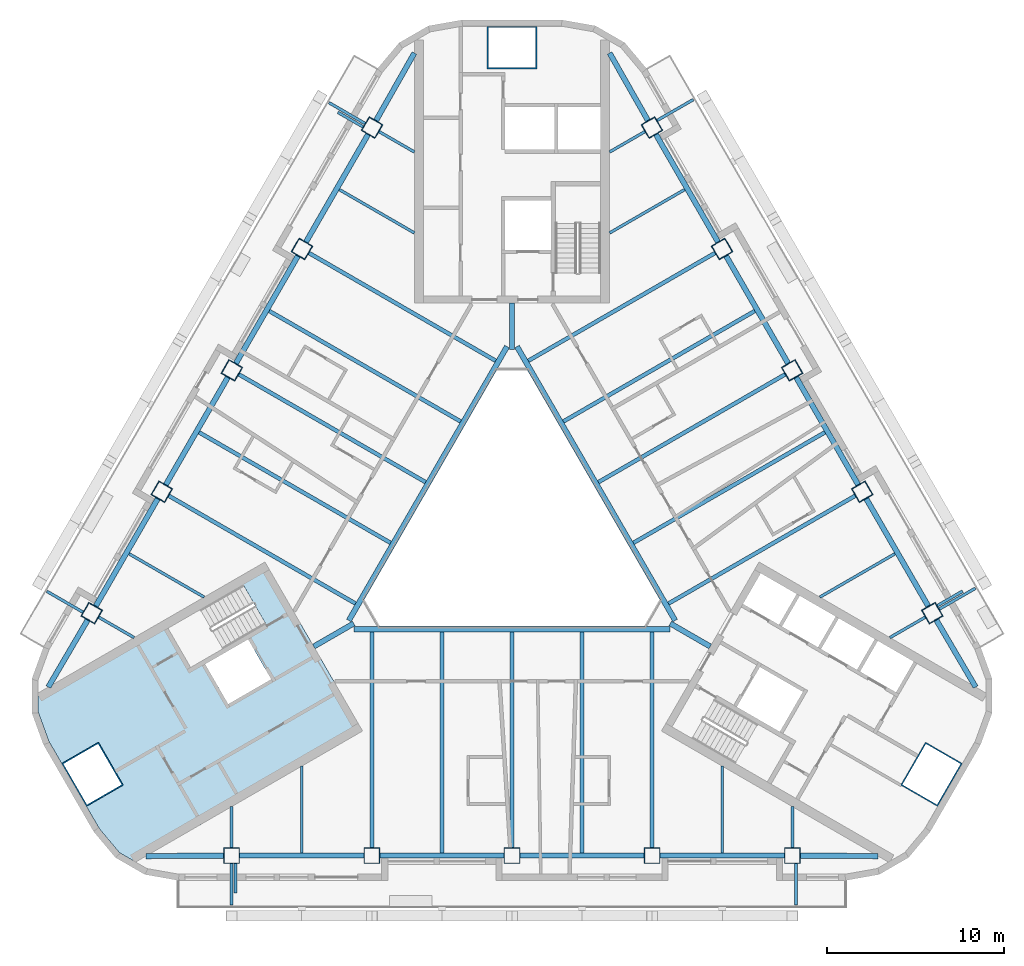
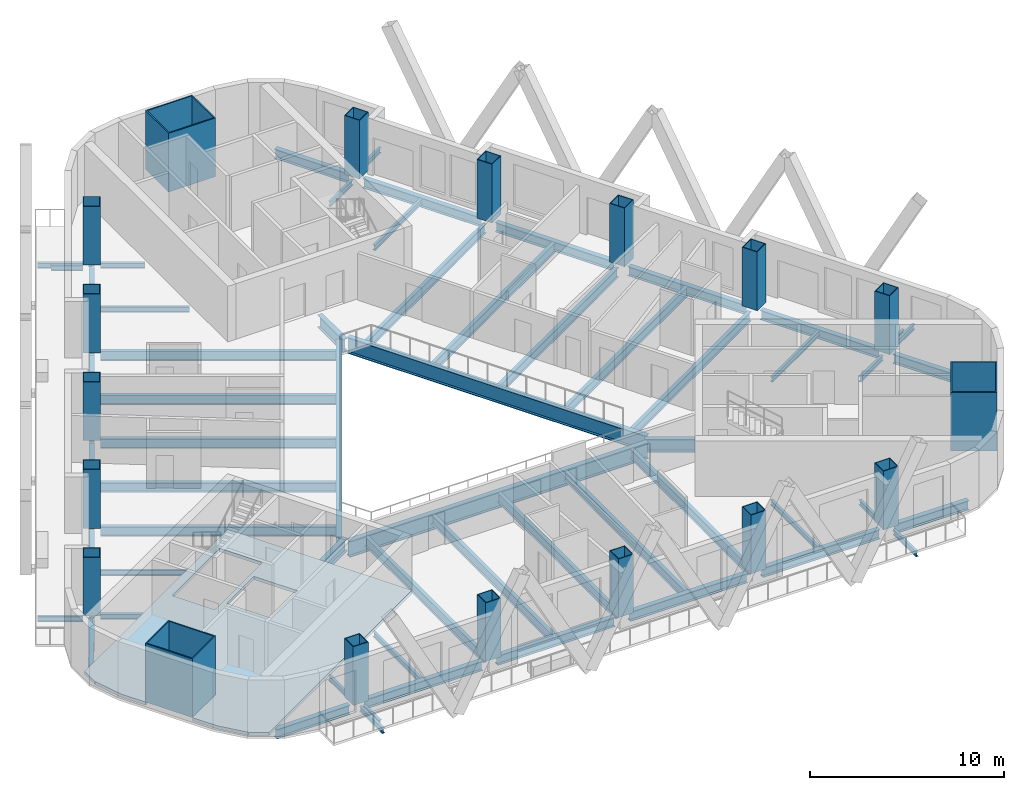
# One storey, part 1 of 14: 60 beams, 18 columns, 1 slab.
"""IFC4 building model written with IfcOpenShell, lengths in metres."""

from ifc_helpers import new_model, si_unit, direction, frame, origin, origin_2d, place, context, subcontext, project, spatial, polyline, rectangle, hollow_rectangle, i_section, outline, extrude, material, layer, layer_set, material_profile, profile_set, type_object, element, save


model = new_model("IFC4")

# Units and contexts
model_context = context("Model", 3, precision=1e-05, world=origin(), true_north=direction((0.0, 1.0)))
body_context = subcontext(model_context, "Body", "Model", "MODEL_VIEW")
ifc_project = project(units=[si_unit("LENGTHUNIT", "METRE"), si_unit("AREAUNIT", "SQUARE_METRE"), si_unit("VOLUMEUNIT", "CUBIC_METRE"), si_unit("PLANEANGLEUNIT", "RADIAN"), si_unit("MASSUNIT", "GRAM", prefix="KILO")], contexts=[model_context])

# Site, building, storey
site_placement = place(None, origin())
site = spatial("IfcSite", under=ifc_project, at=site_placement, CompositionType="ELEMENT")
building_placement = place(site_placement, origin())
building = spatial("IfcBuilding", under=site, at=building_placement, Name="Apuvela Tower Hotel", CompositionType="ELEMENT")
storey_placement = place(building_placement, frame((0.0, 0.0, 113.10009765625)))
storey = spatial("IfcBuildingStorey", under=building, at=storey_placement, Name="L26", CompositionType="ELEMENT", Elevation=113.10009765625)

# Columns
ifc_material_1 = material(Name="Steel S460", Category="steel")
ifc_material_profile_1 = material_profile(ifc_material_1, hollow_rectangle(XDim=2.800048828125, YDim=2.39990234375, WallThickness=0.070068359375, at=origin_2d()), Name="BOX 2800x2400x70")
ifc_material_2 = material(Name="Concrete C80/95", Category="concrete")
ifc_material_profile_2 = material_profile(ifc_material_2, rectangle(XDim=2.659912109375, YDim=2.260009765625, at=origin_2d()), Name="Concrete C80/95 infill")
ifc_profile_set_1 = profile_set([ifc_material_profile_1, ifc_material_profile_2], Name="Steel S460")
column_type_1 = type_object("IfcColumnType", Name="STR-MC mega column BOX 2800x2400x70", PredefinedType="COLUMN", material=ifc_profile_set_1)
for number, where, z_axis, x_axis, name in (
    (1, (0.0, 27.300048828125, 0.0), (0.0, 0.0, 1.0), (1.0, 0.0, 0.0), "Mega column MC2 N"),
    (2, (-23.642578125, -13.64990234375, 0.0), (0.0, 0.0, 1.0), (-0.5, 0.866025403784, 0.0), "Mega column MC2 SW"),
    (3, (23.642578125, -13.64990234375, 0.0), (0.0, 0.0, 1.0), (0.5, 0.866025403784, 0.0), "Mega column MC2 SE"),
):
    element("IfcColumn", number, at=place(storey_placement, frame(where, z_axis=z_axis, x_axis=x_axis)), inside=storey, type_object=column_type_1, Name=name, PredefinedType="COLUMN", context=body_context, shape_type="SweptSolid", body=[
        extrude(hollow_rectangle(XDim=2.800048828125, YDim=2.39990234375, WallThickness=0.070068359375, at=origin_2d()), origin(), (0.0, 0.0, 1.0), 3.699951171875),
    ])
ifc_material_profile_3 = material_profile(ifc_material_1, hollow_rectangle(XDim=0.89990234375, YDim=0.89990234375, WallThickness=0.0400390625, at=origin_2d()), Name="BOX 900x900x40")
ifc_material_profile_4 = material_profile(ifc_material_2, rectangle(XDim=0.820068359375, YDim=0.820068359375, at=origin_2d()), Name="Concrete C80/95 infill")
ifc_profile_set_2 = profile_set([ifc_material_profile_3, ifc_material_profile_4], Name="Steel S460")
column_type_2 = type_object("IfcColumnType", Name="STR-PC perimeter column BOX 900x900x40", PredefinedType="COLUMN", material=ifc_profile_set_2)
for number, where, z_axis, x_axis, name in (
    (4, (-15.800048828125, -18.22998046875, 0.0), (0.0, 0.0, 1.0), (-1.0, 0.0, 0.0), "Perimeter column C3 S1"),
    (5, (-7.89990234375, -18.22998046875, 0.0), (0.0, 0.0, 1.0), (-1.0, 0.0, 0.0), "Perimeter column C3 S2"),
    (6, (0.0, -18.22998046875, 0.0), (0.0, 0.0, 1.0), (-1.0, 0.0, 0.0), "Perimeter column C3 S3"),
    (7, (7.89990234375, -18.22998046875, 0.0), (0.0, 0.0, 1.0), (-1.0, 0.0, 0.0), "Perimeter column C3 S4"),
    (8, (15.800048828125, -18.22998046875, 0.0), (0.0, 0.0, 1.0), (-1.0, 0.0, 0.0), "Perimeter column C3 S5"),
    (9, (23.6875, -4.568115234375, 0.0), (0.0, 0.0, 1.0), (-0.5, 0.866025403784, 0.0), "Perimeter column C3 NE1"),
    (10, (19.737548828125, 2.2734375, 0.0), (0.0, 0.0, 1.0), (-0.5, 0.866025403784, 0.0), "Perimeter column C3 NE2"),
    (11, (15.78759765625, 9.114990234375, 0.0), (0.0, 0.0, 1.0), (-0.5, 0.866025403784, 0.0), "Perimeter column C3 NE3"),
    (12, (11.837646484375, 15.95654296875, 0.0), (0.0, 0.0, 1.0), (-0.5, 0.866025403784, 0.0), "Perimeter column C3 NE4"),
    (13, (7.8876953125, 22.798095703125, 0.0), (0.0, 0.0, 1.0), (-0.5, 0.866025403784, 0.0), "Perimeter column C3 NE5"),
    (14, (-7.8876953125, 22.798095703125, 0.0), (0.0, 0.0, 1.0), (0.5, 0.866025403784, 0.0), "Perimeter column C3 NW1"),
    (15, (-11.837646484375, 15.95654296875, 0.0), (0.0, 0.0, 1.0), (0.5, 0.866025403784, 0.0), "Perimeter column C3 NW2"),
    (16, (-15.78759765625, 9.114990234375, 0.0), (0.0, 0.0, 1.0), (0.5, 0.866025403784, 0.0), "Perimeter column C3 NW3"),
    (17, (-19.737548828125, 2.2734375, 0.0), (0.0, 0.0, 1.0), (0.5, 0.866025403784, 0.0), "Perimeter column C3 NW4"),
    (18, (-23.6875, -4.568115234375, 0.0), (0.0, 0.0, 1.0), (0.5, 0.866025403784, 0.0), "Perimeter column C3 NW5"),
):
    element("IfcColumn", number, at=place(storey_placement, frame(where, z_axis=z_axis, x_axis=x_axis)), inside=storey, type_object=column_type_2, Name=name, PredefinedType="COLUMN", context=body_context, shape_type="SweptSolid", body=[
        extrude(hollow_rectangle(XDim=0.89990234375, YDim=0.89990234375, WallThickness=0.0400390625, at=origin_2d()), origin(), (0.0, 0.0, 1.0), 3.699951171875),
    ])

# Beams
ifc_material_3 = material(Name="Steel S355", Category="steel")
ifc_material_profile_5 = material_profile(ifc_material_3, i_section(OverallWidth=0.159912109375, OverallDepth=0.330078125, WebThickness=0.007568359375, FlangeThickness=0.011474609375, at=origin_2d()), Name="IPE 330")
ifc_profile_set_3 = profile_set([ifc_material_profile_5], Name="Steel S355")
beam_type_1 = type_object("IfcBeamType", Name="ENV-BALCONY-BEAM-IPE330", PredefinedType="BEAM", material=ifc_profile_set_3)
beam_1_placement = place(storey_placement, frame((-15.800048828125, -18.679931640625, -0.315185546875), z_axis=(0.0, -1.0, 0.0), x_axis=(1.0, 0.0, 0.0)))
element("IfcBeam", 19, at=beam_1_placement, inside=storey, type_object=beam_type_1, Name="Balcony cantilever beam S1 L26", PredefinedType="BEAM", context=body_context, shape_type="SweptSolid", body=[
    extrude(i_section(OverallWidth=0.159912109375, OverallDepth=0.330078125, WebThickness=0.007568359375, FlangeThickness=0.011474609375, at=origin_2d()), origin(), (0.0, 0.0, 1.0), 2.35009765625),
])
beam_2_placement = place(storey_placement, frame((-15.580078125, -18.679931640625, -0.315185546875), z_axis=(0.0, -1.0, 0.0), x_axis=(1.0, 0.0, 0.0)))
element("IfcBeam", 20, at=beam_2_placement, inside=storey, type_object=beam_type_1, Name="Balcony cantilever beam S2 L26", PredefinedType="BEAM", context=body_context, shape_type="SweptSolid", body=[
    extrude(i_section(OverallWidth=0.159912109375, OverallDepth=0.330078125, WebThickness=0.007568359375, FlangeThickness=0.011474609375, at=origin_2d()), origin(), (0.0, 0.0, 1.0), 1.650146484375),
])
for number, where, z_axis, x_axis, name in (
    (21, (16.0, -18.679931640625, -0.315185546875), (0.0, -1.0, 0.0), (1.0, 0.0, 0.0), "Balcony cantilever beam S3 L26"),
    (22, (24.077392578125, -4.34326171875, -0.315185546875), (0.866016039709, 0.500016218704, 0.0), (-0.500016218704, 0.866016039709, 0.0), "Balcony cantilever beam NE1 L26"),
):
    element("IfcBeam", number, at=place(storey_placement, frame(where, z_axis=z_axis, x_axis=x_axis)), inside=storey, type_object=beam_type_1, Name=name, PredefinedType="BEAM", context=body_context, shape_type="SweptSolid", body=[
        extrude(i_section(OverallWidth=0.159912109375, OverallDepth=0.330078125, WebThickness=0.007568359375, FlangeThickness=0.011474609375, at=origin_2d()), origin(), (0.0, 0.0, 1.0), 2.35009765625),
    ])
beam_3_placement = place(storey_placement, frame((23.96728515625, -4.152587890625, -0.315185546875), z_axis=(0.866040211805, 0.499974350878, 0.0), x_axis=(-0.499974350878, 0.866040211805, 0.0)))
element("IfcBeam", 23, at=beam_3_placement, inside=storey, type_object=beam_type_1, Name="Balcony cantilever beam NE2 L26", PredefinedType="BEAM", context=body_context, shape_type="SweptSolid", body=[
    extrude(i_section(OverallWidth=0.159912109375, OverallDepth=0.330078125, WebThickness=0.007568359375, FlangeThickness=0.011474609375, at=origin_2d()), origin(), (0.0, 0.0, 1.0), 1.64990234375),
])
beam_4_placement = place(storey_placement, frame((8.177490234375, 23.1962890625, -0.315185546875), z_axis=(0.865990062348, 0.500061208168, 0.0), x_axis=(-0.500061208168, 0.865990062348, 0.0)))
element("IfcBeam", 24, at=beam_4_placement, inside=storey, type_object=beam_type_1, Name="Balcony cantilever beam NE3 L26", PredefinedType="BEAM", context=body_context, shape_type="SweptSolid", body=[
    extrude(i_section(OverallWidth=0.159912109375, OverallDepth=0.330078125, WebThickness=0.007568359375, FlangeThickness=0.011474609375, at=origin_2d()), origin(), (0.0, 0.0, 1.0), 2.349853515625),
])
beam_5_placement = place(storey_placement, frame((-8.27734375, 23.023193359375, -0.315185546875), z_axis=(-0.866016039709, 0.500016218704, 0.0), x_axis=(-0.500016218704, -0.866016039709, 0.0)))
element("IfcBeam", 25, at=beam_5_placement, inside=storey, type_object=beam_type_1, Name="Balcony cantilever beam NW1 L26", PredefinedType="BEAM", context=body_context, shape_type="SweptSolid", body=[
    extrude(i_section(OverallWidth=0.159912109375, OverallDepth=0.330078125, WebThickness=0.007568359375, FlangeThickness=0.011474609375, at=origin_2d()), origin(), (0.0, 0.0, 1.0), 2.35009765625),
])
beam_6_placement = place(storey_placement, frame((-8.387451171875, 22.832763671875, -0.315185546875), z_axis=(-0.866040211805, 0.499974350878, 0.0), x_axis=(-0.499974350878, -0.866040211805, 0.0)))
element("IfcBeam", 26, at=beam_6_placement, inside=storey, type_object=beam_type_1, Name="Balcony cantilever beam NW2 L26", PredefinedType="BEAM", context=body_context, shape_type="SweptSolid", body=[
    extrude(i_section(OverallWidth=0.159912109375, OverallDepth=0.330078125, WebThickness=0.007568359375, FlangeThickness=0.011474609375, at=origin_2d()), origin(), (0.0, 0.0, 1.0), 1.64990234375),
])
beam_7_placement = place(storey_placement, frame((-24.177490234375, -4.516357421875, -0.315185546875), z_axis=(-0.865990062348, 0.500061208168, 0.0), x_axis=(-0.500061208168, -0.865990062348, 0.0)))
element("IfcBeam", 27, at=beam_7_placement, inside=storey, type_object=beam_type_1, Name="Balcony cantilever beam NW3 L26", PredefinedType="BEAM", context=body_context, shape_type="SweptSolid", body=[
    extrude(i_section(OverallWidth=0.159912109375, OverallDepth=0.330078125, WebThickness=0.007568359375, FlangeThickness=0.011474609375, at=origin_2d()), origin(), (0.0, 0.0, 1.0), 2.349853515625),
])
ifc_material_profile_6 = material_profile(ifc_material_3, i_section(OverallWidth=0.159912109375, OverallDepth=0.330078125, WebThickness=0.007568359375, FlangeThickness=0.011474609375, at=origin_2d()), Name="IPE 330")
ifc_profile_set_4 = profile_set([ifc_material_profile_6], Name="Steel S355")
beam_type_2 = type_object("IfcBeamType", Name="STR-B floor beam IPE 330", PredefinedType="BEAM", material=ifc_profile_set_4)
beam_8_placement = place(storey_placement, frame((23.2978515625, -4.793212890625, -0.315185546875), z_axis=(-0.866000531106, -0.500043078269, 0.0), x_axis=(0.500043078269, -0.866000531106, 0.0)))
element("IfcBeam", 28, at=beam_8_placement, inside=storey, type_object=beam_type_2, Name="Floor beam B1 NE1", PredefinedType="BEAM", context=body_context, shape_type="SweptSolid", body=[
    extrude(i_section(OverallWidth=0.159912109375, OverallDepth=0.330078125, WebThickness=0.007568359375, FlangeThickness=0.011474609375, at=origin_2d()), origin(), (0.0, 0.0, 1.0), 2.306884765625),
])
for number, where, z_axis, x_axis, name in (
    (29, (21.582763671875, -1.222412109375, -0.315185546875), (-0.866015056278, -0.500017921979, 0.0), (0.500017921979, -0.866015056278, 0.0), "Floor beam B1 NE2"),
    (30, (9.732666015625, 19.302490234375, -0.315185546875), (-0.866015056278, -0.500017921979, 0.0), (0.500017921979, -0.866015056278, 0.0), "Floor beam B1 NE8"),
):
    element("IfcBeam", number, at=place(storey_placement, frame(where, z_axis=z_axis, x_axis=x_axis)), inside=storey, type_object=beam_type_2, Name=name, PredefinedType="BEAM", context=body_context, shape_type="SweptSolid", body=[
        extrude(i_section(OverallWidth=0.159912109375, OverallDepth=0.330078125, WebThickness=0.007568359375, FlangeThickness=0.011474609375, at=origin_2d()), origin(), (0.0, 0.0, 1.0), 4.887451171875),
    ])
for number, where, z_axis, x_axis, name in (
    (31, (7.497802734375, 22.5732421875, -0.315185546875), (-0.866000531106, -0.500043078269, 0.0), (0.500043078269, -0.866000531106, 0.0), "Floor beam B1 NE9"),
    (32, (-7.497802734375, 22.5732421875, -0.315185546875), (0.866000531106, -0.500043078269, 0.0), (0.500043078269, 0.866000531106, 0.0), "Floor beam B1 NW1"),
):
    element("IfcBeam", number, at=place(storey_placement, frame(where, z_axis=z_axis, x_axis=x_axis)), inside=storey, type_object=beam_type_2, Name=name, PredefinedType="BEAM", context=body_context, shape_type="SweptSolid", body=[
        extrude(i_section(OverallWidth=0.159912109375, OverallDepth=0.330078125, WebThickness=0.007568359375, FlangeThickness=0.011474609375, at=origin_2d()), origin(), (0.0, 0.0, 1.0), 2.306884765625),
    ])
for number, where, z_axis, x_axis, name in (
    (33, (-9.732666015625, 19.302490234375, -0.315185546875), (0.866015056278, -0.500017921979, 0.0), (0.500017921979, 0.866015056278, 0.0), "Floor beam B1 NW2"),
    (34, (-21.582763671875, -1.222412109375, -0.315185546875), (0.866015056278, -0.500017921979, 0.0), (0.500017921979, 0.866015056278, 0.0), "Floor beam B1 NW8"),
):
    element("IfcBeam", number, at=place(storey_placement, frame(where, z_axis=z_axis, x_axis=x_axis)), inside=storey, type_object=beam_type_2, Name=name, PredefinedType="BEAM", context=body_context, shape_type="SweptSolid", body=[
        extrude(i_section(OverallWidth=0.159912109375, OverallDepth=0.330078125, WebThickness=0.007568359375, FlangeThickness=0.011474609375, at=origin_2d()), origin(), (0.0, 0.0, 1.0), 4.887451171875),
    ])
beam_9_placement = place(storey_placement, frame((-23.2978515625, -4.793212890625, -0.315185546875), z_axis=(0.866000531106, -0.500043078269, 0.0), x_axis=(0.500043078269, 0.866000531106, 0.0)))
element("IfcBeam", 35, at=beam_9_placement, inside=storey, type_object=beam_type_2, Name="Floor beam B1 NW9", PredefinedType="BEAM", context=body_context, shape_type="SweptSolid", body=[
    extrude(i_section(OverallWidth=0.159912109375, OverallDepth=0.330078125, WebThickness=0.007568359375, FlangeThickness=0.011474609375, at=origin_2d()), origin(), (0.0, 0.0, 1.0), 2.306884765625),
])
beam_10_placement = place(storey_placement, frame((-15.800048828125, -17.780029296875, -0.315185546875), z_axis=(0.0, 1.0, 0.0), x_axis=(-1.0, 0.0, 0.0)))
element("IfcBeam", 36, at=beam_10_placement, inside=storey, type_object=beam_type_2, Name="Floor beam B1 S1", PredefinedType="BEAM", context=body_context, shape_type="SweptSolid", body=[
    extrude(i_section(OverallWidth=0.159912109375, OverallDepth=0.330078125, WebThickness=0.007568359375, FlangeThickness=0.011474609375, at=origin_2d()), origin(), (0.0, 0.0, 1.0), 2.30712890625),
])
for number, where, z_axis, x_axis, name in (
    (37, (-11.85009765625, -18.080078125, -0.315185546875), (0.0, 1.0, 0.0), (-1.0, 0.0, 0.0), "Floor beam B1 S2"),
    (38, (11.85009765625, -18.080078125, -0.315185546875), (0.0, 1.0, 0.0), (-1.0, 0.0, 0.0), "Floor beam B1 S8"),
):
    element("IfcBeam", number, at=place(storey_placement, frame(where, z_axis=z_axis, x_axis=x_axis)), inside=storey, type_object=beam_type_2, Name=name, PredefinedType="BEAM", context=body_context, shape_type="SweptSolid", body=[
        extrude(i_section(OverallWidth=0.159912109375, OverallDepth=0.330078125, WebThickness=0.007568359375, FlangeThickness=0.011474609375, at=origin_2d()), origin(), (0.0, 0.0, 1.0), 4.8876953125),
    ])
beam_11_placement = place(storey_placement, frame((15.800048828125, -17.780029296875, -0.315185546875), z_axis=(0.0, 1.0, 0.0), x_axis=(-1.0, 0.0, 0.0)))
element("IfcBeam", 39, at=beam_11_placement, inside=storey, type_object=beam_type_2, Name="Floor beam B1 S9", PredefinedType="BEAM", context=body_context, shape_type="SweptSolid", body=[
    extrude(i_section(OverallWidth=0.159912109375, OverallDepth=0.330078125, WebThickness=0.007568359375, FlangeThickness=0.011474609375, at=origin_2d()), origin(), (0.0, 0.0, 1.0), 2.30712890625),
])
ifc_material_profile_7 = material_profile(ifc_material_3, i_section(OverallWidth=0.219970703125, OverallDepth=0.60009765625, WebThickness=0.011962890625, FlangeThickness=0.01904296875, at=origin_2d()), Name="IPE 600")
ifc_profile_set_5 = profile_set([ifc_material_profile_7], Name="Steel S355")
beam_type_3 = type_object("IfcBeamType", Name="STR-B floor beam IPE 600", PredefinedType="BEAM", material=ifc_profile_set_5)
beam_12_placement = place(storey_placement, frame((19.347900390625, 2.04833984375, -0.4501953125), z_axis=(-0.866028751965, -0.499994200737, 0.0), x_axis=(0.499994200737, -0.866028751965, 0.0)))
element("IfcBeam", 40, at=beam_12_placement, inside=storey, type_object=beam_type_3, Name="Floor beam B8 NE3", PredefinedType="BEAM", context=body_context, shape_type="SweptSolid", body=[
    extrude(i_section(OverallWidth=0.219970703125, OverallDepth=0.60009765625, WebThickness=0.011962890625, FlangeThickness=0.01904296875, at=origin_2d()), origin(), (0.0, 0.0, 1.0), 12.157958984375),
])
beam_13_placement = place(storey_placement, frame((17.6328125, 5.619140625, -0.4501953125), z_axis=(-0.866027636335, -0.499996133089, 0.0), x_axis=(0.499996133089, -0.866027636335, 0.0)))
element("IfcBeam", 41, at=beam_13_placement, inside=storey, type_object=beam_type_3, Name="Floor beam B8 NE4", PredefinedType="BEAM", context=body_context, shape_type="SweptSolid", body=[
    extrude(i_section(OverallWidth=0.219970703125, OverallDepth=0.60009765625, WebThickness=0.011962890625, FlangeThickness=0.01904296875, at=origin_2d()), origin(), (0.0, 0.0, 1.0), 12.4580078125),
])
beam_14_placement = place(storey_placement, frame((15.39794921875, 8.889892578125, -0.4501953125), z_axis=(-0.866028751965, -0.499994200737, 0.0), x_axis=(0.499994200737, -0.866028751965, 0.0)))
element("IfcBeam", 42, at=beam_14_placement, inside=storey, type_object=beam_type_3, Name="Floor beam B8 NE5", PredefinedType="BEAM", context=body_context, shape_type="SweptSolid", body=[
    extrude(i_section(OverallWidth=0.219970703125, OverallDepth=0.60009765625, WebThickness=0.011962890625, FlangeThickness=0.01904296875, at=origin_2d()), origin(), (0.0, 0.0, 1.0), 12.157958984375),
])
beam_15_placement = place(storey_placement, frame((13.6826171875, 12.460693359375, -0.4501953125), z_axis=(-0.866022737053, -0.500004618886, 0.0), x_axis=(0.500004618886, -0.866022737053, 0.0)))
element("IfcBeam", 43, at=beam_15_placement, inside=storey, type_object=beam_type_3, Name="Floor beam B8 NE6", PredefinedType="BEAM", context=body_context, shape_type="SweptSolid", body=[
    extrude(i_section(OverallWidth=0.219970703125, OverallDepth=0.60009765625, WebThickness=0.011962890625, FlangeThickness=0.01904296875, at=origin_2d()), origin(), (0.0, 0.0, 1.0), 12.4580078125),
])
for number, where, z_axis, x_axis, name in (
    (44, (11.447998046875, 15.731689453125, -0.4501953125), (-0.866025076934, -0.500000566121, 0.0), (0.500000566121, -0.866025076934, 0.0), "Floor beam B8 NE7"),
    (45, (-11.447998046875, 15.731689453125, -0.4501953125), (0.866025076934, -0.500000566121, 0.0), (0.500000566121, 0.866025076934, 0.0), "Floor beam B8 NW3"),
):
    element("IfcBeam", number, at=place(storey_placement, frame(where, z_axis=z_axis, x_axis=x_axis)), inside=storey, type_object=beam_type_3, Name=name, PredefinedType="BEAM", context=body_context, shape_type="SweptSolid", body=[
        extrude(i_section(OverallWidth=0.219970703125, OverallDepth=0.60009765625, WebThickness=0.011962890625, FlangeThickness=0.01904296875, at=origin_2d()), origin(), (0.0, 0.0, 1.0), 12.158203125),
    ])
beam_16_placement = place(storey_placement, frame((-13.6826171875, 12.460693359375, -0.4501953125), z_axis=(0.866022737053, -0.500004618886, 0.0), x_axis=(0.500004618886, 0.866022737053, 0.0)))
element("IfcBeam", 46, at=beam_16_placement, inside=storey, type_object=beam_type_3, Name="Floor beam B8 NW4", PredefinedType="BEAM", context=body_context, shape_type="SweptSolid", body=[
    extrude(i_section(OverallWidth=0.219970703125, OverallDepth=0.60009765625, WebThickness=0.011962890625, FlangeThickness=0.01904296875, at=origin_2d()), origin(), (0.0, 0.0, 1.0), 12.4580078125),
])
beam_17_placement = place(storey_placement, frame((-15.39794921875, 8.889892578125, -0.4501953125), z_axis=(0.866028751965, -0.499994200737, 0.0), x_axis=(0.499994200737, 0.866028751965, 0.0)))
element("IfcBeam", 47, at=beam_17_placement, inside=storey, type_object=beam_type_3, Name="Floor beam B8 NW5", PredefinedType="BEAM", context=body_context, shape_type="SweptSolid", body=[
    extrude(i_section(OverallWidth=0.219970703125, OverallDepth=0.60009765625, WebThickness=0.011962890625, FlangeThickness=0.01904296875, at=origin_2d()), origin(), (0.0, 0.0, 1.0), 12.157958984375),
])
beam_18_placement = place(storey_placement, frame((-17.6328125, 5.619140625, -0.4501953125), z_axis=(0.866027636335, -0.499996133089, 0.0), x_axis=(0.499996133089, 0.866027636335, 0.0)))
element("IfcBeam", 48, at=beam_18_placement, inside=storey, type_object=beam_type_3, Name="Floor beam B8 NW6", PredefinedType="BEAM", context=body_context, shape_type="SweptSolid", body=[
    extrude(i_section(OverallWidth=0.219970703125, OverallDepth=0.60009765625, WebThickness=0.011962890625, FlangeThickness=0.01904296875, at=origin_2d()), origin(), (0.0, 0.0, 1.0), 12.4580078125),
])
for number, where, z_axis, x_axis, name in (
    (49, (-19.347900390625, 2.04833984375, -0.4501953125), (0.866028751965, -0.499994200737, 0.0), (0.499994200737, 0.866028751965, 0.0), "Floor beam B8 NW7"),
    (50, (-7.89990234375, -17.780029296875, -0.4501953125), (0.0, 1.0, 0.0), (-1.0, 0.0, 0.0), "Floor beam B8 S3"),
):
    element("IfcBeam", number, at=place(storey_placement, frame(where, z_axis=z_axis, x_axis=x_axis)), inside=storey, type_object=beam_type_3, Name=name, PredefinedType="BEAM", context=body_context, shape_type="SweptSolid", body=[
        extrude(i_section(OverallWidth=0.219970703125, OverallDepth=0.60009765625, WebThickness=0.011962890625, FlangeThickness=0.01904296875, at=origin_2d()), origin(), (0.0, 0.0, 1.0), 12.157958984375),
    ])
beam_19_placement = place(storey_placement, frame((-3.949951171875, -18.080078125, -0.4501953125), z_axis=(0.0, 1.0, 0.0), x_axis=(-1.0, 0.0, 0.0)))
element("IfcBeam", 51, at=beam_19_placement, inside=storey, type_object=beam_type_3, Name="Floor beam B8 S4", PredefinedType="BEAM", context=body_context, shape_type="SweptSolid", body=[
    extrude(i_section(OverallWidth=0.219970703125, OverallDepth=0.60009765625, WebThickness=0.011962890625, FlangeThickness=0.01904296875, at=origin_2d()), origin(), (0.0, 0.0, 1.0), 12.4580078125),
])
beam_20_placement = place(storey_placement, frame((0.0, -17.780029296875, -0.4501953125), z_axis=(0.0, 1.0, 0.0), x_axis=(-1.0, 0.0, 0.0)))
element("IfcBeam", 52, at=beam_20_placement, inside=storey, type_object=beam_type_3, Name="Floor beam B8 S5", PredefinedType="BEAM", context=body_context, shape_type="SweptSolid", body=[
    extrude(i_section(OverallWidth=0.219970703125, OverallDepth=0.60009765625, WebThickness=0.011962890625, FlangeThickness=0.01904296875, at=origin_2d()), origin(), (0.0, 0.0, 1.0), 12.157958984375),
])
beam_21_placement = place(storey_placement, frame((3.949951171875, -18.080078125, -0.4501953125), z_axis=(0.0, 1.0, 0.0), x_axis=(-1.0, 0.0, 0.0)))
element("IfcBeam", 53, at=beam_21_placement, inside=storey, type_object=beam_type_3, Name="Floor beam B8 S6", PredefinedType="BEAM", context=body_context, shape_type="SweptSolid", body=[
    extrude(i_section(OverallWidth=0.219970703125, OverallDepth=0.60009765625, WebThickness=0.011962890625, FlangeThickness=0.01904296875, at=origin_2d()), origin(), (0.0, 0.0, 1.0), 12.4580078125),
])
beam_22_placement = place(storey_placement, frame((7.89990234375, -17.780029296875, -0.4501953125), z_axis=(0.0, 1.0, 0.0), x_axis=(-1.0, 0.0, 0.0)))
element("IfcBeam", 54, at=beam_22_placement, inside=storey, type_object=beam_type_3, Name="Floor beam B8 S7", PredefinedType="BEAM", context=body_context, shape_type="SweptSolid", body=[
    extrude(i_section(OverallWidth=0.219970703125, OverallDepth=0.60009765625, WebThickness=0.011962890625, FlangeThickness=0.01904296875, at=origin_2d()), origin(), (0.0, 0.0, 1.0), 12.157958984375),
])
ifc_material_profile_8 = material_profile(ifc_material_3, i_section(OverallWidth=0.302001953125, OverallDepth=1.008056640625, WebThickness=0.02099609375, FlangeThickness=0.0400390625, at=origin_2d()), Name="HE 1000 M")
ifc_profile_set_6 = profile_set([ifc_material_profile_8], Name="Steel S355")
beam_type_4 = type_object("IfcBeamType", Name="STR-G atrium ring girder HE 1000 M", PredefinedType="BEAM", material=ifc_profile_set_6)
for number, where, z_axis, x_axis, name in (
    (55, (-0.28076171875, 10.455810546875, -0.654052734375), (-0.500000611842, -0.866025050537, 0.0), (0.866025050537, -0.500000611842, 0.0), "Atrium ring girder G1 N-SW"),
    (56, (-8.91455078125, -5.470947265625, -0.654052734375), (1.0, 0.0, 0.0), (0.0, 1.0, 0.0), "Atrium ring girder G1 SW-SE"),
    (57, (9.1953125, -4.984619140625, -0.654052734375), (-0.500000611842, 0.866025050537, 0.0), (-0.866025050537, -0.500000611842, 0.0), "Atrium ring girder G1 SE-N"),
):
    element("IfcBeam", number, at=place(storey_placement, frame(where, z_axis=z_axis, x_axis=x_axis)), inside=storey, type_object=beam_type_4, Name=name, PredefinedType="BEAM", context=body_context, shape_type="SweptSolid", body=[
        extrude(i_section(OverallWidth=0.302001953125, OverallDepth=1.008056640625, WebThickness=0.02099609375, FlangeThickness=0.0400390625, at=origin_2d()), origin(), (0.0, 0.0, 1.0), 17.8291015625),
    ])
ifc_material_profile_9 = material_profile(ifc_material_3, i_section(OverallWidth=0.300048828125, OverallDepth=0.800048828125, WebThickness=0.017578125, FlangeThickness=0.032958984375, at=origin_2d()), Name="HE 800 B")
ifc_profile_set_7 = profile_set([ifc_material_profile_9], Name="Steel S355")
beam_type_5 = type_object("IfcBeamType", Name="STR-GT core tie beam HE 800 B", PredefinedType="BEAM", material=ifc_profile_set_7)
for number, where, z_axis, x_axis, name in (
    (58, (0.0, 12.89990234375, -0.550048828125), (0.0, -1.0, 0.0), (1.0, 0.0, 0.0), "Core tie beam GT1 N"),
    (59, (-11.171630859375, -6.449951171875, -0.550048828125), (0.865997922154, 0.500047596559, 0.0), (-0.500047596559, 0.865997922154, 0.0), "Core tie beam GT1 SW"),
    (60, (11.171630859375, -6.449951171875, -0.550048828125), (-0.865997922154, 0.500047596559, 0.0), (-0.500047596559, -0.865997922154, 0.0), "Core tie beam GT1 SE"),
):
    element("IfcBeam", number, at=place(storey_placement, frame(where, z_axis=z_axis, x_axis=x_axis)), inside=storey, type_object=beam_type_5, Name=name, PredefinedType="BEAM", context=body_context, shape_type="SweptSolid", body=[
        extrude(i_section(OverallWidth=0.300048828125, OverallDepth=0.800048828125, WebThickness=0.017578125, FlangeThickness=0.032958984375, at=origin_2d()), origin(), (0.0, 0.0, 1.0), 2.599853515625),
    ])
ifc_material_profile_10 = material_profile(ifc_material_3, i_section(OverallWidth=0.300048828125, OverallDepth=0.590087890625, WebThickness=0.012939453125, FlangeThickness=0.02490234375, at=origin_2d()), Name="HE 600 A")
ifc_profile_set_8 = profile_set([ifc_material_profile_10], Name="Steel S355")
beam_type_6 = type_object("IfcBeamType", Name="STR-SB spandrel beam HE 600 A", PredefinedType="SPANDREL", material=ifc_profile_set_8)
for number, where, z_axis, x_axis, name in (
    (61, (-15.35009765625, -18.22998046875, -0.445068359375), (1.0, 0.0, 0.0), (0.0, 1.0, 0.0), "Spandrel beam SB2 S1"),
    (62, (-7.449951171875, -18.22998046875, -0.445068359375), (1.0, 0.0, 0.0), (0.0, 1.0, 0.0), "Spandrel beam SB2 S2"),
    (63, (0.449951171875, -18.22998046875, -0.445068359375), (1.0, 0.0, 0.0), (0.0, 1.0, 0.0), "Spandrel beam SB2 S3"),
    (64, (8.35009765625, -18.22998046875, -0.445068359375), (1.0, 0.0, 0.0), (0.0, 1.0, 0.0), "Spandrel beam SB2 S4"),
    (65, (23.462646484375, -4.178466796875, -0.445068359375), (-0.499995173006, 0.866028190633, 0.0), (-0.866028190633, -0.499995173006, 0.0), "Spandrel beam SB2 NE1"),
    (66, (19.5126953125, 2.6630859375, -0.445068359375), (-0.499995173006, 0.866028190633, 0.0), (-0.866028190633, -0.499995173006, 0.0), "Spandrel beam SB2 NE2"),
    (67, (15.5625, 9.504638671875, -0.445068359375), (-0.499995173006, 0.866028190633, 0.0), (-0.866028190633, -0.499995173006, 0.0), "Spandrel beam SB2 NE3"),
    (68, (11.612548828125, 16.34619140625, -0.445068359375), (-0.499995173006, 0.866028190633, 0.0), (-0.866028190633, -0.499995173006, 0.0), "Spandrel beam SB2 NE4"),
    (69, (-8.112548828125, 22.408447265625, -0.445068359375), (-0.499995173006, -0.866028190633, 0.0), (0.866028190633, -0.499995173006, 0.0), "Spandrel beam SB2 NW1"),
    (70, (-12.0625, 15.56689453125, -0.445068359375), (-0.499995173006, -0.866028190633, 0.0), (0.866028190633, -0.499995173006, 0.0), "Spandrel beam SB2 NW2"),
    (71, (-16.0126953125, 8.725341796875, -0.445068359375), (-0.499995173006, -0.866028190633, 0.0), (0.866028190633, -0.499995173006, 0.0), "Spandrel beam SB2 NW3"),
    (72, (-19.962646484375, 1.8837890625, -0.445068359375), (-0.499995173006, -0.866028190633, 0.0), (0.866028190633, -0.499995173006, 0.0), "Spandrel beam SB2 NW4"),
):
    element("IfcBeam", number, at=place(storey_placement, frame(where, z_axis=z_axis, x_axis=x_axis)), inside=storey, type_object=beam_type_6, Name=name, PredefinedType="SPANDREL", context=body_context, shape_type="SweptSolid", body=[
        extrude(i_section(OverallWidth=0.300048828125, OverallDepth=0.590087890625, WebThickness=0.012939453125, FlangeThickness=0.02490234375, at=origin_2d()), origin(), (0.0, 0.0, 1.0), 7.0),
    ])
for number, where, z_axis, x_axis, name in (
    (73, (-16.25, -18.233154296875, -0.445068359375), (-0.999976528586, -0.006851443461, 0.0), (0.006851443461, -0.999976528586, 0.0), "Spandrel beam SB2 S1-SW"),
    (74, (16.25, -18.233154296875, -0.445068359375), (0.999976528586, -0.006851443461, 0.0), (0.006851443461, 0.999976528586, 0.0), "Spandrel beam SB2 S5-SE"),
    (75, (23.915283203125, -4.956298828125, -0.445068359375), (0.505951068275, -0.862562181244, 0.0), (0.862562181244, 0.505951068275, 0.0), "Spandrel beam SB2 NE1-SE"),
    (76, (7.665283203125, 23.189453125, -0.445068359375), (-0.494043860968, 0.869436980718, 0.0), (-0.869436980718, -0.494043860968, 0.0), "Spandrel beam SB2 NE5-N"),
    (77, (-7.665283203125, 23.189453125, -0.445068359375), (0.494043860968, 0.869436980718, 0.0), (-0.869436980718, 0.494043860968, 0.0), "Spandrel beam SB2 NW1-N"),
    (78, (-23.915283203125, -4.956298828125, -0.445068359375), (-0.505951068275, -0.862562181244, 0.0), (0.862562181244, -0.505951068275, 0.0), "Spandrel beam SB2 NW5-SW"),
):
    element("IfcBeam", number, at=place(storey_placement, frame(where, z_axis=z_axis, x_axis=x_axis)), inside=storey, type_object=beam_type_6, Name=name, PredefinedType="SPANDREL", context=body_context, shape_type="SweptSolid", body=[
        extrude(i_section(OverallWidth=0.300048828125, OverallDepth=0.590087890625, WebThickness=0.012939453125, FlangeThickness=0.02490234375, at=origin_2d()), origin(), (0.0, 0.0, 1.0), 4.3828125),
    ])

# Slab
ifc_material_4 = material(Name="Concrete C50/60", Category="concrete")
ifc_layer = layer(ifc_material_4, 0.199951171875)
ifc_layer_set = layer_set([ifc_layer], Name="COR-FLOOR-200")
slab_type = type_object("IfcSlabType", Name="COR-FLOOR-200", PredefinedType="FLOOR", material=ifc_layer_set)
slab_placement = place(storey_placement, frame((0.0, 0.0, -0.2001953125)))
element("IfcSlab", 79, at=slab_placement, inside=storey, type_object=slab_type, Name="Core floor SW", PredefinedType="FLOOR", context=body_context, shape_type="SweptSolid", body=[
    extrude(outline(polyline([(-26.711181640625, -9.07080078125), (-26.711181640625, -10.123291015625), (-26.109375, -11.77734375), (-25.381591796875, -13.03759765625), (-23.30322265625, -11.837646484375), (-21.9033203125, -14.262451171875), (-23.981689453125, -15.46240234375), (-23.254150390625, -16.72265625), (-22.122802734375, -18.071044921875), (-21.211181640625, -18.59716796875), (-8.421630859375, -11.213134765625), (-13.921630859375, -1.68701171875), (-26.711181640625, -9.07080078125)]), holes=[polyline([(-13.874267578125, -5.18115234375), (-18.112548828125, -7.628173828125), (-19.387451171875, -5.419921875), (-15.149169921875, -2.972900390625), (-13.874267578125, -5.18115234375)]), polyline([(-13.56982421875, -8.29638671875), (-15.99462890625, -9.6962890625), (-17.294677734375, -7.444580078125), (-14.869873046875, -6.044677734375), (-13.56982421875, -8.29638671875)])]), origin(), (0.0, 0.0, 1.0), 0.2001953125),
])

save(model, "model.ifc")
